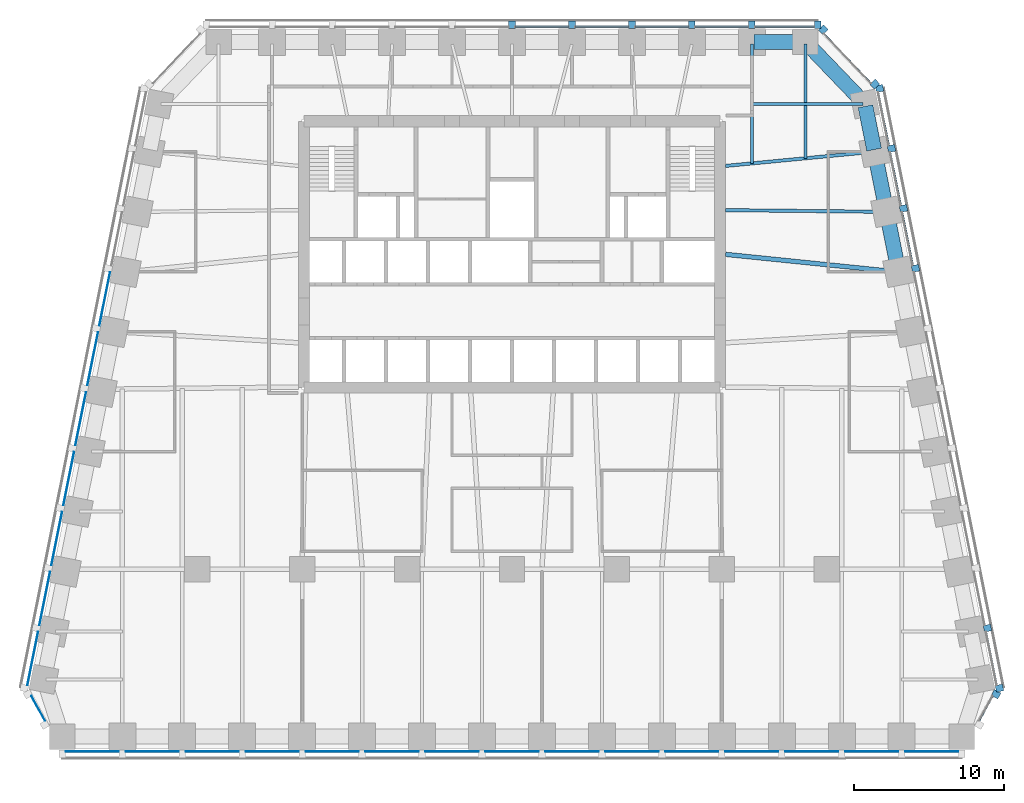
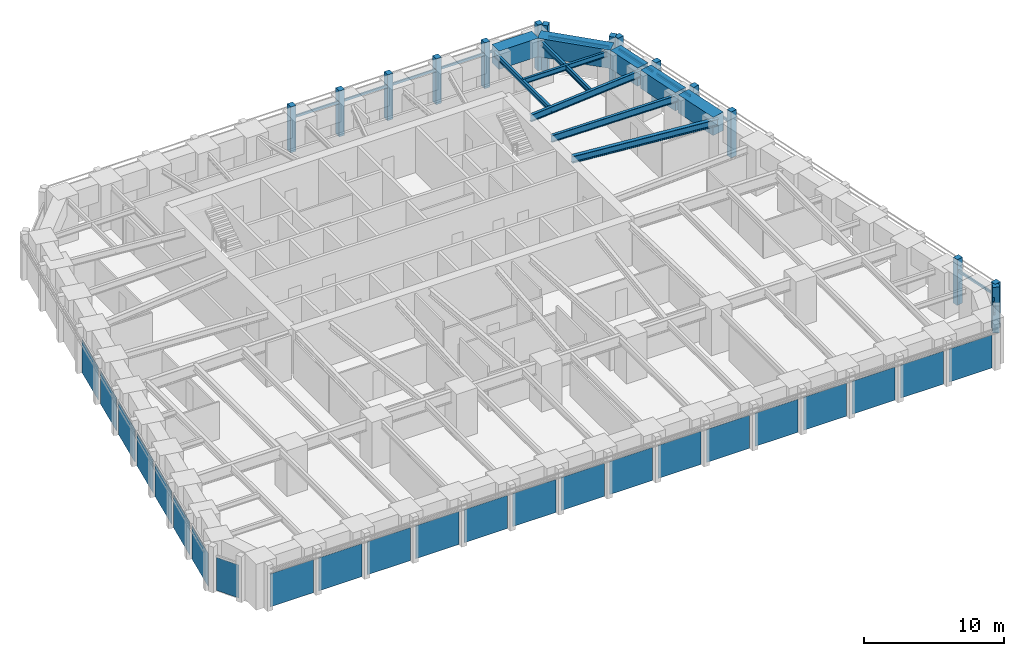
# One storey, part 4 of 10: 26 members, 23 plates, 11 beams, 7 elements without a shape of their own.
"""IFC4 building model written with IfcOpenShell, lengths in metres."""

from ifc_helpers import new_model, si_unit, direction, frame, origin, origin_2d, place, context, subcontext, project, spatial, rectangle, i_section, extrude, material, layer, layer_set, material_profile, profile_set, type_object, element, aggregate, save


model = new_model("IFC4")

# Units and contexts
model_context = context("Model", 3, precision=1e-05, world=origin(), true_north=direction((0.0, 1.0)))
body_context = subcontext(model_context, "Body", "Model", "MODEL_VIEW")
ifc_project = project(units=[si_unit("LENGTHUNIT", "METRE"), si_unit("AREAUNIT", "SQUARE_METRE"), si_unit("VOLUMEUNIT", "CUBIC_METRE"), si_unit("PLANEANGLEUNIT", "RADIAN"), si_unit("MASSUNIT", "GRAM", prefix="KILO")], contexts=[model_context])

# Site, building, storey
site_placement = place(None, origin())
site = spatial("IfcSite", under=ifc_project, at=site_placement, CompositionType="ELEMENT")
building_placement = place(site_placement, origin())
building = spatial("IfcBuilding", under=site, at=building_placement, Name="Isbrekke Arena Tower", CompositionType="ELEMENT")
storey_placement = place(building_placement, frame((0.0, 0.0, 147.0)))
storey = spatial("IfcBuildingStorey", under=building, at=storey_placement, Name="L33", CompositionType="ELEMENT", Elevation=147.0)

# Beams
ifc_material_1 = material(Name="Steel S355", Category="steel")
ifc_material_profile_1 = material_profile(ifc_material_1, i_section(OverallWidth=0.219970703125, OverallDepth=0.60009765625, WebThickness=0.011962890625, FlangeThickness=0.01904296875, FilletRadius=0.02392578125, at=origin_2d()), Name="IPE 600")
ifc_profile_set_1 = profile_set([ifc_material_profile_1], Name="Steel S355")
beam_type_1 = type_object("IfcBeamType", Name="B1 IPE 600", PredefinedType="BEAM", material=ifc_profile_set_1)
beam_1_placement = place(storey_placement, frame((24.83984375, 17.838134765625, 3.550048828125), z_axis=(-0.999944260169, 0.010558245831, 0.0), x_axis=(-0.010558245831, -0.999944260169, 0.0)))
element("IfcBeam", 1, at=beam_1_placement, inside=storey, type_object=beam_type_1, Name="B1 beam E-E09 L33", PredefinedType="BEAM", context=body_context, shape_type="SweptSolid", body=[
    extrude(i_section(OverallWidth=0.219970703125, OverallDepth=0.60009765625, WebThickness=0.011962890625, FlangeThickness=0.01904296875, FilletRadius=0.02392578125, at=origin_2d()), origin(), (0.0, 0.0, 1.0), 10.59033203125),
])
beam_2_placement = place(storey_placement, frame((24.030517578125, 21.837158203125, 3.550048828125), z_axis=(-0.995439798606, -0.095391862082, 0.0), x_axis=(0.095391862082, -0.995439798606, 0.0)))
element("IfcBeam", 2, at=beam_2_placement, inside=storey, type_object=beam_type_1, Name="B1 beam E-E10 L33", PredefinedType="BEAM", context=body_context, shape_type="SweptSolid", body=[
    extrude(i_section(OverallWidth=0.219970703125, OverallDepth=0.60009765625, WebThickness=0.011962890625, FlangeThickness=0.01904296875, FilletRadius=0.02392578125, at=origin_2d()), origin(), (0.0, 0.0, 1.0), 9.825439453125),
])
ifc_material_2 = material(Name="Steel S355", Category="steel")
ifc_material_profile_2 = material_profile(ifc_material_2, i_section(OverallWidth=0.18994140625, OverallDepth=0.449951171875, WebThickness=0.009521484375, FlangeThickness=0.0146484375, FilletRadius=0.02099609375, at=origin_2d()), Name="IPE 450")
ifc_profile_set_2 = profile_set([ifc_material_profile_2], Name="Steel S355")
beam_type_2 = type_object("IfcBeamType", Name="B2 IPE 450", PredefinedType="BEAM", material=ifc_profile_set_2)
beam_3_placement = place(storey_placement, frame((23.40283203125, 25.029296875, 3.625), z_axis=(-1.0, 0.0, 0.0), x_axis=(0.0, -1.0, 0.0)))
element("IfcBeam", 3, at=beam_3_placement, inside=storey, type_object=beam_type_2, Name="B2 beam E-E11 L33", PredefinedType="BEAM", context=body_context, shape_type="SweptSolid", body=[
    extrude(i_section(OverallWidth=0.18994140625, OverallDepth=0.449951171875, WebThickness=0.009521484375, FlangeThickness=0.0146484375, FilletRadius=0.02099609375, at=origin_2d()), origin(), (0.0, 0.0, 1.0), 7.40283203125),
])
ifc_material_3 = material(Name="Steel S355", Category="steel")
ifc_material_profile_3 = material_profile(ifc_material_3, i_section(OverallWidth=0.18994140625, OverallDepth=0.449951171875, WebThickness=0.009521484375, FlangeThickness=0.0146484375, FilletRadius=0.02099609375, at=origin_2d()), Name="IPE 450")
ifc_profile_set_3 = profile_set([ifc_material_profile_3], Name="Steel S355")
beam_type_3 = type_object("IfcBeamType", Name="B3 IPE 450", PredefinedType="BEAM", material=ifc_profile_set_3)
beam_4_placement = place(storey_placement, frame((19.574951171875, 29.02490234375, 3.625), z_axis=(0.0, -1.0, 0.0), x_axis=(1.0, 0.0, 0.0)))
element("IfcBeam", 4, at=beam_4_placement, inside=storey, type_object=beam_type_3, Name="B3 beam N-N01 L33", PredefinedType="BEAM", context=body_context, shape_type="SweptSolid", body=[
    extrude(i_section(OverallWidth=0.18994140625, OverallDepth=0.449951171875, WebThickness=0.009521484375, FlangeThickness=0.0146484375, FilletRadius=0.02099609375, at=origin_2d()), origin(), (0.0, 0.0, 1.0), 7.61474609375),
])
beam_5_placement = place(storey_placement, frame((16.0, 29.02490234375, 3.625), z_axis=(0.0, -1.0, 0.0), x_axis=(1.0, 0.0, 0.0)))
element("IfcBeam", 5, at=beam_5_placement, inside=storey, type_object=beam_type_3, Name="B3 beam N-N02 L33", PredefinedType="BEAM", context=body_context, shape_type="SweptSolid", body=[
    extrude(i_section(OverallWidth=0.18994140625, OverallDepth=0.449951171875, WebThickness=0.009521484375, FlangeThickness=0.0146484375, FilletRadius=0.02099609375, at=origin_2d()), origin(), (0.0, 0.0, 1.0), 7.957275390625),
])
ifc_material_4 = material(Name="Steel S355", Category="steel")
ifc_material_profile_4 = material_profile(ifc_material_4, i_section(OverallWidth=0.300048828125, OverallDepth=0.60009765625, WebThickness=0.015380859375, FlangeThickness=0.030029296875, FilletRadius=0.027099609375, at=origin_2d()), Name="HEB 600")
ifc_profile_set_4 = profile_set([ifc_material_profile_4], Name="Steel S355")
beam_type_4 = type_object("IfcBeamType", Name="B7 HEB 600", PredefinedType="BEAM", material=ifc_profile_set_4)
beam_6_placement = place(storey_placement, frame((25.6259765625, 13.83984375, 3.550048828125), z_axis=(-0.994839949319, 0.10145676537, 0.0), x_axis=(-0.10145676537, -0.994839949319, 0.0)))
element("IfcBeam", 6, at=beam_6_placement, inside=storey, type_object=beam_type_4, Name="B7 beam E-E08 L33", PredefinedType="BEAM", context=body_context, shape_type="SweptSolid", body=[
    extrude(i_section(OverallWidth=0.300048828125, OverallDepth=0.60009765625, WebThickness=0.015380859375, FlangeThickness=0.030029296875, FilletRadius=0.027099609375, at=origin_2d()), origin(), (0.0, 0.0, 1.0), 11.43505859375),
])

# Curtain wall, member
ifc_material_5 = material(Name="Glazed aluminium curtain wall", Category="aluminium")
curtain_wall_type = type_object("IfcCurtainWallType", Name="CWM TOWER CURTAIN WALL MID ZONE", PredefinedType="USERDEFINED", material=ifc_material_5)
curtain_wall_1_placement = place(storey_placement, origin())
curtain_wall_1 = element("IfcCurtainWall", 7, at=curtain_wall_1_placement, inside=storey, type_object=curtain_wall_type, Name="CWM curtain wall L33-SE", ObjectType="TOWER CURTAIN WALL MID ZONE", PredefinedType="USERDEFINED")
ifc_material_6 = material(Name="Aluminium mullion, pale brick slip cladding", Category="masonry")
ifc_material_profile_5 = material_profile(ifc_material_6, rectangle(XDim=0.449951171875, YDim=0.5, at=origin_2d()), Name="PIER 450X500")
ifc_profile_set_5 = profile_set([ifc_material_profile_5], Name="Aluminium mullion, pale brick slip cladding")
member_type_1 = type_object("IfcMemberType", Name="CWM-M PIER MULLION 450 x 500", PredefinedType="MULLION", material=ifc_profile_set_5)
member_1_placement = place(storey_placement, frame((32.296142578125, -14.34375, 0.0), z_axis=(0.0, 0.0, 1.0), x_axis=(0.481918749773, 0.876215908676, 0.0)))
member_1 = element("IfcMember", 8, at=member_1_placement, type_object=member_type_1, Name="CWM-M mullion 2", PredefinedType="MULLION", context=body_context, shape_type="SweptSolid", body=[
    extrude(rectangle(XDim=0.449951171875, YDim=0.5, at=origin_2d()), origin(), (0.0, 0.0, 1.0), 4.0),
])

# Curtain wall, members
curtain_wall_2_placement = place(storey_placement, origin())
curtain_wall_2 = element("IfcCurtainWall", 9, at=curtain_wall_2_placement, inside=storey, type_object=curtain_wall_type, Name="CWM curtain wall L33-E", ObjectType="TOWER CURTAIN WALL MID ZONE", PredefinedType="USERDEFINED")
member_2_placement = place(storey_placement, frame((32.518798828125, -13.936279296875, 0.0), z_axis=(0.0, 0.0, 1.0), x_axis=(-0.196116135138, 0.980580675691, 0.0)))
member_2 = element("IfcMember", 10, at=member_2_placement, type_object=member_type_1, Name="CWM-M mullion 1", PredefinedType="MULLION", context=body_context, shape_type="SweptSolid", body=[
    extrude(rectangle(XDim=0.449951171875, YDim=0.5, at=origin_2d()), origin(), (0.0, 0.0, 1.0), 4.0),
])
member_3_placement = place(storey_placement, frame((31.71875, -9.936279296875, 0.0), z_axis=(0.0, 0.0, 1.0), x_axis=(-0.196116135138, 0.980580675691, 0.0)))
member_3 = element("IfcMember", 11, at=member_3_placement, type_object=member_type_1, Name="CWM-M mullion 2", PredefinedType="MULLION", context=body_context, shape_type="SweptSolid", body=[
    extrude(rectangle(XDim=0.449951171875, YDim=0.5, at=origin_2d()), origin(), (0.0, 0.0, 1.0), 4.0),
])
member_4_placement = place(storey_placement, frame((26.918701171875, 14.063720703125, 0.0), z_axis=(0.0, 0.0, 1.0), x_axis=(-0.196116135138, 0.980580675691, 0.0)))
member_4 = element("IfcMember", 12, at=member_4_placement, type_object=member_type_1, Name="CWM-M mullion 8", PredefinedType="MULLION", context=body_context, shape_type="SweptSolid", body=[
    extrude(rectangle(XDim=0.449951171875, YDim=0.5, at=origin_2d()), origin(), (0.0, 0.0, 1.0), 4.0),
])
member_5_placement = place(storey_placement, frame((26.11865234375, 18.063720703125, 0.0), z_axis=(0.0, 0.0, 1.0), x_axis=(-0.196116135138, 0.980580675691, 0.0)))
member_5 = element("IfcMember", 13, at=member_5_placement, type_object=member_type_1, Name="CWM-M mullion 9", PredefinedType="MULLION", context=body_context, shape_type="SweptSolid", body=[
    extrude(rectangle(XDim=0.449951171875, YDim=0.5, at=origin_2d()), origin(), (0.0, 0.0, 1.0), 4.0),
])
member_6_placement = place(storey_placement, frame((25.318603515625, 22.063720703125, 0.0), z_axis=(0.0, 0.0, 1.0), x_axis=(-0.196116135138, 0.980580675691, 0.0)))
member_6 = element("IfcMember", 14, at=member_6_placement, type_object=member_type_1, Name="CWM-M mullion 10", PredefinedType="MULLION", context=body_context, shape_type="SweptSolid", body=[
    extrude(rectangle(XDim=0.449951171875, YDim=0.5, at=origin_2d()), origin(), (0.0, 0.0, 1.0), 4.0),
])
member_7_placement = place(storey_placement, frame((24.518798828125, 26.063720703125, 0.0), z_axis=(0.0, 0.0, 1.0), x_axis=(-0.196116135138, 0.980580675691, 0.0)))
member_7 = element("IfcMember", 15, at=member_7_placement, type_object=member_type_1, Name="CWM-M mullion 11", PredefinedType="MULLION", context=body_context, shape_type="SweptSolid", body=[
    extrude(rectangle(XDim=0.449951171875, YDim=0.5, at=origin_2d()), origin(), (0.0, 0.0, 1.0), 4.0),
])

curtain_wall_3_placement = place(storey_placement, origin())
curtain_wall_3 = element("IfcCurtainWall", 16, at=curtain_wall_3_placement, inside=storey, type_object=curtain_wall_type, Name="CWM curtain wall L33-EN", ObjectType="TOWER CURTAIN WALL MID ZONE", PredefinedType="USERDEFINED")
member_8_placement = place(storey_placement, frame((24.208251953125, 26.354248046875, 0.0), z_axis=(0.0, 0.0, 1.0), x_axis=(-0.68874946192, 0.72499943359, 0.0)))
member_8 = element("IfcMember", 17, at=member_8_placement, type_object=member_type_1, Name="CWM-M mullion 1", PredefinedType="MULLION", context=body_context, shape_type="SweptSolid", body=[
    extrude(rectangle(XDim=0.449951171875, YDim=0.5, at=origin_2d()), origin(), (0.0, 0.0, 1.0), 4.0),
])
member_9_placement = place(storey_placement, frame((20.7587890625, 29.9853515625, 0.0), z_axis=(0.0, 0.0, 1.0), x_axis=(-0.68874946192, 0.72499943359, 0.0)))
member_9 = element("IfcMember", 18, at=member_9_placement, type_object=member_type_1, Name="CWM-M mullion 2", PredefinedType="MULLION", context=body_context, shape_type="SweptSolid", body=[
    extrude(rectangle(XDim=0.449951171875, YDim=0.5, at=origin_2d()), origin(), (0.0, 0.0, 1.0), 4.0),
])

curtain_wall_4_placement = place(storey_placement, origin())
curtain_wall_4 = element("IfcCurtainWall", 19, at=curtain_wall_4_placement, inside=storey, type_object=curtain_wall_type, Name="CWM curtain wall L33-N", ObjectType="TOWER CURTAIN WALL MID ZONE", PredefinedType="USERDEFINED")
member_10_placement = place(storey_placement, frame((20.39990234375, 30.324951171875, 0.0), z_axis=(0.0, 0.0, 1.0), x_axis=(-1.0, 0.0, 0.0)))
member_10 = element("IfcMember", 20, at=member_10_placement, type_object=member_type_1, Name="CWM-M mullion 1", PredefinedType="MULLION", context=body_context, shape_type="SweptSolid", body=[
    extrude(rectangle(XDim=0.449951171875, YDim=0.5, at=origin_2d()), origin(), (0.0, 0.0, 1.0), 4.0),
])
member_11_placement = place(storey_placement, frame((16.0, 30.324951171875, 0.0), z_axis=(0.0, 0.0, 1.0), x_axis=(-1.0, 0.0, 0.0)))
member_11 = element("IfcMember", 21, at=member_11_placement, type_object=member_type_1, Name="CWM-M mullion 2", PredefinedType="MULLION", context=body_context, shape_type="SweptSolid", body=[
    extrude(rectangle(XDim=0.449951171875, YDim=0.5, at=origin_2d()), origin(), (0.0, 0.0, 1.0), 4.0),
])
member_12_placement = place(storey_placement, frame((12.0, 30.324951171875, 0.0), z_axis=(0.0, 0.0, 1.0), x_axis=(-1.0, 0.0, 0.0)))
member_12 = element("IfcMember", 22, at=member_12_placement, type_object=member_type_1, Name="CWM-M mullion 3", PredefinedType="MULLION", context=body_context, shape_type="SweptSolid", body=[
    extrude(rectangle(XDim=0.449951171875, YDim=0.5, at=origin_2d()), origin(), (0.0, 0.0, 1.0), 4.0),
])
member_13_placement = place(storey_placement, frame((8.0, 30.324951171875, 0.0), z_axis=(0.0, 0.0, 1.0), x_axis=(-1.0, 0.0, 0.0)))
member_13 = element("IfcMember", 23, at=member_13_placement, type_object=member_type_1, Name="CWM-M mullion 4", PredefinedType="MULLION", context=body_context, shape_type="SweptSolid", body=[
    extrude(rectangle(XDim=0.449951171875, YDim=0.5, at=origin_2d()), origin(), (0.0, 0.0, 1.0), 4.0),
])
member_14_placement = place(storey_placement, frame((4.0, 30.324951171875, 0.0), z_axis=(0.0, 0.0, 1.0), x_axis=(-1.0, 0.0, 0.0)))
member_14 = element("IfcMember", 24, at=member_14_placement, type_object=member_type_1, Name="CWM-M mullion 5", PredefinedType="MULLION", context=body_context, shape_type="SweptSolid", body=[
    extrude(rectangle(XDim=0.449951171875, YDim=0.5, at=origin_2d()), origin(), (0.0, 0.0, 1.0), 4.0),
])
member_15_placement = place(storey_placement, frame((0.0, 30.324951171875, 0.0), z_axis=(0.0, 0.0, 1.0), x_axis=(-1.0, 0.0, 0.0)))
member_15 = element("IfcMember", 25, at=member_15_placement, type_object=member_type_1, Name="CWM-M mullion 6", PredefinedType="MULLION", context=body_context, shape_type="SweptSolid", body=[
    extrude(rectangle(XDim=0.449951171875, YDim=0.5, at=origin_2d()), origin(), (0.0, 0.0, 1.0), 4.0),
])

# Member
ifc_material_7 = material(Name="Aluminium transom", Category="aluminium")
ifc_material_profile_6 = material_profile(ifc_material_7, rectangle(XDim=0.1201171875, YDim=0.199951171875, at=origin_2d()), Name="TRANSOM 120X200")
ifc_profile_set_6 = profile_set([ifc_material_profile_6], Name="Aluminium transom")
member_type_2 = type_object("IfcMemberType", Name="CWM-T TRANSOM 120 x 200", PredefinedType="USERDEFINED", material=ifc_profile_set_6)
member_16_placement = place(storey_placement, frame((31.152099609375, -16.112548828125, 3.0), z_axis=(0.482003669577, 0.876169197424, 0.0), x_axis=(-0.876169197424, 0.482003669577, 0.0)))
member_16 = element("IfcMember", 26, at=member_16_placement, type_object=member_type_2, Name="CWM-T transom 1", ObjectType="TRANSOM", PredefinedType="USERDEFINED", context=body_context, shape_type="SweptSolid", body=[
    extrude(rectangle(XDim=0.1201171875, YDim=0.199951171875, at=origin_2d()), origin(), (0.0, 0.0, 1.0), 1.876220703125),
])

aggregate(curtain_wall_1, [member_1, member_16])

member_17_placement = place(storey_placement, frame((32.327392578125, -13.7451171875, 3.0), z_axis=(-0.196090262229, 0.980585849918, 0.0), x_axis=(-0.980585849918, -0.196090262229, 0.0)))
member_17 = element("IfcMember", 27, at=member_17_placement, type_object=member_type_2, Name="CWM-T transom 1", ObjectType="TRANSOM", PredefinedType="USERDEFINED", context=body_context, shape_type="SweptSolid", body=[
    extrude(rectangle(XDim=0.1201171875, YDim=0.199951171875, at=origin_2d()), origin(), (0.0, 0.0, 1.0), 3.62939453125),
])

member_18_placement = place(storey_placement, frame((26.7275390625, 14.2548828125, 3.0), z_axis=(-0.196154943734, 0.980572913173, 0.0), x_axis=(-0.980572913173, -0.196154943734, 0.0)))
member_18 = element("IfcMember", 28, at=member_18_placement, type_object=member_type_2, Name="CWM-T transom 8", ObjectType="TRANSOM", PredefinedType="USERDEFINED", context=body_context, shape_type="SweptSolid", body=[
    extrude(rectangle(XDim=0.1201171875, YDim=0.199951171875, at=origin_2d()), origin(), (0.0, 0.0, 1.0), 3.62939453125),
])

member_19_placement = place(storey_placement, frame((25.927490234375, 18.2548828125, 3.0), z_axis=(-0.196090262229, 0.980585849918, 0.0), x_axis=(-0.980585849918, -0.196090262229, 0.0)))
member_19 = element("IfcMember", 29, at=member_19_placement, type_object=member_type_2, Name="CWM-T transom 9", ObjectType="TRANSOM", PredefinedType="USERDEFINED", context=body_context, shape_type="SweptSolid", body=[
    extrude(rectangle(XDim=0.1201171875, YDim=0.199951171875, at=origin_2d()), origin(), (0.0, 0.0, 1.0), 3.62939453125),
])

member_20_placement = place(storey_placement, frame((25.12744140625, 22.2548828125, 3.0), z_axis=(-0.196090262229, 0.980585849918, 0.0), x_axis=(-0.980585849918, -0.196090262229, 0.0)))
member_20 = element("IfcMember", 30, at=member_20_placement, type_object=member_type_2, Name="CWM-T transom 10", ObjectType="TRANSOM", PredefinedType="USERDEFINED", context=body_context, shape_type="SweptSolid", body=[
    extrude(rectangle(XDim=0.1201171875, YDim=0.199951171875, at=origin_2d()), origin(), (0.0, 0.0, 1.0), 3.62939453125),
])

aggregate(curtain_wall_2, [member_2, member_3, member_4, member_5, member_6, member_7, member_17, member_18, member_19, member_20])

member_21_placement = place(storey_placement, frame((23.944580078125, 26.4140625, 3.0), z_axis=(-0.688771983213, 0.724978037696, 0.0), x_axis=(-0.724978037696, -0.688771983213, 0.0)))
member_21 = element("IfcMember", 31, at=member_21_placement, type_object=member_type_2, Name="CWM-T transom 1", ObjectType="TRANSOM", PredefinedType="USERDEFINED", context=body_context, shape_type="SweptSolid", body=[
    extrude(rectangle(XDim=0.1201171875, YDim=0.199951171875, at=origin_2d()), origin(), (0.0, 0.0, 1.0), 4.558349609375),
])

aggregate(curtain_wall_3, [member_8, member_9, member_21])

member_22_placement = place(storey_placement, frame((20.175048828125, 30.175048828125, 3.0), z_axis=(-1.0, 0.0, 0.0), x_axis=(0.0, -1.0, 0.0)))
member_22 = element("IfcMember", 32, at=member_22_placement, type_object=member_type_2, Name="CWM-T transom 1", ObjectType="TRANSOM", PredefinedType="USERDEFINED", context=body_context, shape_type="SweptSolid", body=[
    extrude(rectangle(XDim=0.1201171875, YDim=0.199951171875, at=origin_2d()), origin(), (0.0, 0.0, 1.0), 3.949951171875),
])

member_23_placement = place(storey_placement, frame((15.77490234375, 30.175048828125, 3.0), z_axis=(-1.0, 0.0, 0.0), x_axis=(0.0, -1.0, 0.0)))
member_23 = element("IfcMember", 33, at=member_23_placement, type_object=member_type_2, Name="CWM-T transom 2", ObjectType="TRANSOM", PredefinedType="USERDEFINED", context=body_context, shape_type="SweptSolid", body=[
    extrude(rectangle(XDim=0.1201171875, YDim=0.199951171875, at=origin_2d()), origin(), (0.0, 0.0, 1.0), 3.5498046875),
])

member_24_placement = place(storey_placement, frame((11.77490234375, 30.175048828125, 3.0), z_axis=(-1.0, 0.0, 0.0), x_axis=(0.0, -1.0, 0.0)))
member_24 = element("IfcMember", 34, at=member_24_placement, type_object=member_type_2, Name="CWM-T transom 3", ObjectType="TRANSOM", PredefinedType="USERDEFINED", context=body_context, shape_type="SweptSolid", body=[
    extrude(rectangle(XDim=0.1201171875, YDim=0.199951171875, at=origin_2d()), origin(), (0.0, 0.0, 1.0), 3.5498046875),
])

member_25_placement = place(storey_placement, frame((7.77490234375, 30.175048828125, 3.0), z_axis=(-1.0, 0.0, 0.0), x_axis=(0.0, -1.0, 0.0)))
member_25 = element("IfcMember", 35, at=member_25_placement, type_object=member_type_2, Name="CWM-T transom 4", ObjectType="TRANSOM", PredefinedType="USERDEFINED", context=body_context, shape_type="SweptSolid", body=[
    extrude(rectangle(XDim=0.1201171875, YDim=0.199951171875, at=origin_2d()), origin(), (0.0, 0.0, 1.0), 3.5498046875),
])

member_26_placement = place(storey_placement, frame((3.77490234375, 30.175048828125, 3.0), z_axis=(-1.0, 0.0, 0.0), x_axis=(0.0, -1.0, 0.0)))
member_26 = element("IfcMember", 36, at=member_26_placement, type_object=member_type_2, Name="CWM-T transom 5", ObjectType="TRANSOM", PredefinedType="USERDEFINED", context=body_context, shape_type="SweptSolid", body=[
    extrude(rectangle(XDim=0.1201171875, YDim=0.199951171875, at=origin_2d()), origin(), (0.0, 0.0, 1.0), 3.5498046875),
])

aggregate(curtain_wall_4, [member_10, member_11, member_12, member_13, member_14, member_15, member_22, member_23, member_24, member_25, member_26])

# Beams
ifc_material_8 = material(Name="Concrete B80 (C80/95)", Category="concrete")
ifc_material_profile_7 = material_profile(ifc_material_8, rectangle(XDim=1.0, YDim=1.60009765625, at=origin_2d()), Name="RC 1000x1600")
ifc_profile_set_7 = profile_set([ifc_material_profile_7], Name="Concrete B80 (C80/95)")
beam_type_5 = type_object("IfcBeamType", Name="SB2 RC 1000 x 1600", PredefinedType="SPANDREL", material=ifc_profile_set_7)
for number, where, z_axis, x_axis, name in (
    (37, (25.76171875, 13.9853515625, 3.199951171875), (-0.196128558387, 0.980578190959, 0.0), (-0.980578190959, -0.196128558387, 0.0), "SB2 spandrel E08-E09 L33"),
    (38, (24.961669921875, 17.9853515625, 3.199951171875), (-0.196128558387, 0.980578190959, 0.0), (-0.980578190959, -0.196128558387, 0.0), "SB2 spandrel E09-E10 L33"),
):
    element("IfcBeam", number, at=place(storey_placement, frame(where, z_axis=z_axis, x_axis=x_axis)), inside=storey, type_object=beam_type_5, Name=name, PredefinedType="SPANDREL", context=body_context, shape_type="SweptSolid", body=[
        extrude(rectangle(XDim=1.0, YDim=1.60009765625, at=origin_2d()), origin(), (0.0, 0.0, 1.0), 3.779296875),
    ])
beam_7_placement = place(storey_placement, frame((24.16162109375, 21.9853515625, 3.199951171875), z_axis=(-0.196116135138, 0.980580675691, 0.0), x_axis=(-0.980580675691, -0.196116135138, 0.0)))
element("IfcBeam", 39, at=beam_7_placement, inside=storey, type_object=beam_type_5, Name="SB2 spandrel E10-E11 L33", PredefinedType="SPANDREL", context=body_context, shape_type="SweptSolid", body=[
    extrude(rectangle(XDim=1.0, YDim=1.60009765625, at=origin_2d()), origin(), (0.0, 0.0, 1.0), 2.9541015625),
])
beam_8_placement = place(storey_placement, frame((23.448974609375, 25.137451171875, 3.199951171875), z_axis=(-0.692339547635, 0.721571861134, 0.0), x_axis=(-0.721571861134, -0.692339547635, 0.0)))
element("IfcBeam", 40, at=beam_8_placement, inside=storey, type_object=beam_type_5, Name="SB2 spandrel E11-N01 L33", PredefinedType="SPANDREL", context=body_context, shape_type="SweptSolid", body=[
    extrude(rectangle(XDim=1.0, YDim=1.60009765625, at=origin_2d()), origin(), (0.0, 0.0, 1.0), 5.4453125),
])
beam_9_placement = place(storey_placement, frame((19.425048828125, 29.175048828125, 3.199951171875), z_axis=(-1.0, 0.0, 0.0), x_axis=(0.0, -1.0, 0.0)))
element("IfcBeam", 41, at=beam_9_placement, inside=storey, type_object=beam_type_5, Name="SB2 spandrel N01-N02 L33", PredefinedType="SPANDREL", context=body_context, shape_type="SweptSolid", body=[
    extrude(rectangle(XDim=1.0, YDim=1.60009765625, at=origin_2d()), origin(), (0.0, 0.0, 1.0), 3.275146484375),
])

# Curtain wall, plates
curtain_wall_5_placement = place(storey_placement, origin())
curtain_wall_5 = element("IfcCurtainWall", 42, at=curtain_wall_5_placement, inside=storey, type_object=curtain_wall_type, Name="CWM curtain wall L33-S", ObjectType="TOWER CURTAIN WALL MID ZONE", PredefinedType="USERDEFINED")
ifc_material_9 = material(Name="Triple-glazed clear glass unit", Category="glass")
ifc_layer = layer(ifc_material_9, 0.031982421875)
ifc_layer_set = layer_set([ifc_layer], Name="CWM-P VISION PANEL")
plate_type = type_object("IfcPlateType", Name="CWM-P VISION PANEL", PredefinedType="CURTAIN_PANEL", material=ifc_layer_set)
plate_1_placement = place(storey_placement, frame((-28.0, -18.175048828125, 0.02001953125), z_axis=(0.0, 0.0, 1.0), x_axis=(1.0, 0.0, 0.0)))
plate_1 = element("IfcPlate", 43, at=plate_1_placement, type_object=plate_type, Name="CWM-P panel 1", PredefinedType="CURTAIN_PANEL", context=body_context, shape_type="SweptSolid", body=[
    extrude(rectangle(XDim=3.550048828125, YDim=0.031982421875, at=origin_2d()), origin(), (0.0, 0.0, 1.0), 2.8798828125),
])
plate_2_placement = place(storey_placement, frame((-24.0, -18.175048828125, 0.02001953125), z_axis=(0.0, 0.0, 1.0), x_axis=(1.0, 0.0, 0.0)))
plate_2 = element("IfcPlate", 44, at=plate_2_placement, type_object=plate_type, Name="CWM-P panel 2", PredefinedType="CURTAIN_PANEL", context=body_context, shape_type="SweptSolid", body=[
    extrude(rectangle(XDim=3.550048828125, YDim=0.031982421875, at=origin_2d()), origin(), (0.0, 0.0, 1.0), 2.8798828125),
])
plate_3_placement = place(storey_placement, frame((-20.0, -18.175048828125, 0.02001953125), z_axis=(0.0, 0.0, 1.0), x_axis=(1.0, 0.0, 0.0)))
plate_3 = element("IfcPlate", 45, at=plate_3_placement, type_object=plate_type, Name="CWM-P panel 3", PredefinedType="CURTAIN_PANEL", context=body_context, shape_type="SweptSolid", body=[
    extrude(rectangle(XDim=3.550048828125, YDim=0.031982421875, at=origin_2d()), origin(), (0.0, 0.0, 1.0), 2.8798828125),
])
plate_4_placement = place(storey_placement, frame((-16.0, -18.175048828125, 0.02001953125), z_axis=(0.0, 0.0, 1.0), x_axis=(1.0, 0.0, 0.0)))
plate_4 = element("IfcPlate", 46, at=plate_4_placement, type_object=plate_type, Name="CWM-P panel 4", PredefinedType="CURTAIN_PANEL", context=body_context, shape_type="SweptSolid", body=[
    extrude(rectangle(XDim=3.550048828125, YDim=0.031982421875, at=origin_2d()), origin(), (0.0, 0.0, 1.0), 2.8798828125),
])
plate_5_placement = place(storey_placement, frame((-12.0, -18.175048828125, 0.02001953125), z_axis=(0.0, 0.0, 1.0), x_axis=(1.0, 0.0, 0.0)))
plate_5 = element("IfcPlate", 47, at=plate_5_placement, type_object=plate_type, Name="CWM-P panel 5", PredefinedType="CURTAIN_PANEL", context=body_context, shape_type="SweptSolid", body=[
    extrude(rectangle(XDim=3.550048828125, YDim=0.031982421875, at=origin_2d()), origin(), (0.0, 0.0, 1.0), 2.8798828125),
])
plate_6_placement = place(storey_placement, frame((-8.0, -18.175048828125, 0.02001953125), z_axis=(0.0, 0.0, 1.0), x_axis=(1.0, 0.0, 0.0)))
plate_6 = element("IfcPlate", 48, at=plate_6_placement, type_object=plate_type, Name="CWM-P panel 6", PredefinedType="CURTAIN_PANEL", context=body_context, shape_type="SweptSolid", body=[
    extrude(rectangle(XDim=3.550048828125, YDim=0.031982421875, at=origin_2d()), origin(), (0.0, 0.0, 1.0), 2.8798828125),
])
plate_7_placement = place(storey_placement, frame((-4.0, -18.175048828125, 0.02001953125), z_axis=(0.0, 0.0, 1.0), x_axis=(1.0, 0.0, 0.0)))
plate_7 = element("IfcPlate", 49, at=plate_7_placement, type_object=plate_type, Name="CWM-P panel 7", PredefinedType="CURTAIN_PANEL", context=body_context, shape_type="SweptSolid", body=[
    extrude(rectangle(XDim=3.550048828125, YDim=0.031982421875, at=origin_2d()), origin(), (0.0, 0.0, 1.0), 2.8798828125),
])
plate_8_placement = place(storey_placement, frame((0.0, -18.175048828125, 0.02001953125), z_axis=(0.0, 0.0, 1.0), x_axis=(1.0, 0.0, 0.0)))
plate_8 = element("IfcPlate", 50, at=plate_8_placement, type_object=plate_type, Name="CWM-P panel 8", PredefinedType="CURTAIN_PANEL", context=body_context, shape_type="SweptSolid", body=[
    extrude(rectangle(XDim=3.550048828125, YDim=0.031982421875, at=origin_2d()), origin(), (0.0, 0.0, 1.0), 2.8798828125),
])
plate_9_placement = place(storey_placement, frame((4.0, -18.175048828125, 0.02001953125), z_axis=(0.0, 0.0, 1.0), x_axis=(1.0, 0.0, 0.0)))
plate_9 = element("IfcPlate", 51, at=plate_9_placement, type_object=plate_type, Name="CWM-P panel 9", PredefinedType="CURTAIN_PANEL", context=body_context, shape_type="SweptSolid", body=[
    extrude(rectangle(XDim=3.550048828125, YDim=0.031982421875, at=origin_2d()), origin(), (0.0, 0.0, 1.0), 2.8798828125),
])
plate_10_placement = place(storey_placement, frame((8.0, -18.175048828125, 0.02001953125), z_axis=(0.0, 0.0, 1.0), x_axis=(1.0, 0.0, 0.0)))
plate_10 = element("IfcPlate", 52, at=plate_10_placement, type_object=plate_type, Name="CWM-P panel 10", PredefinedType="CURTAIN_PANEL", context=body_context, shape_type="SweptSolid", body=[
    extrude(rectangle(XDim=3.550048828125, YDim=0.031982421875, at=origin_2d()), origin(), (0.0, 0.0, 1.0), 2.8798828125),
])
plate_11_placement = place(storey_placement, frame((12.0, -18.175048828125, 0.02001953125), z_axis=(0.0, 0.0, 1.0), x_axis=(1.0, 0.0, 0.0)))
plate_11 = element("IfcPlate", 53, at=plate_11_placement, type_object=plate_type, Name="CWM-P panel 11", PredefinedType="CURTAIN_PANEL", context=body_context, shape_type="SweptSolid", body=[
    extrude(rectangle(XDim=3.550048828125, YDim=0.031982421875, at=origin_2d()), origin(), (0.0, 0.0, 1.0), 2.8798828125),
])
plate_12_placement = place(storey_placement, frame((16.0, -18.175048828125, 0.02001953125), z_axis=(0.0, 0.0, 1.0), x_axis=(1.0, 0.0, 0.0)))
plate_12 = element("IfcPlate", 54, at=plate_12_placement, type_object=plate_type, Name="CWM-P panel 12", PredefinedType="CURTAIN_PANEL", context=body_context, shape_type="SweptSolid", body=[
    extrude(rectangle(XDim=3.550048828125, YDim=0.031982421875, at=origin_2d()), origin(), (0.0, 0.0, 1.0), 2.8798828125),
])
plate_13_placement = place(storey_placement, frame((20.0, -18.175048828125, 0.02001953125), z_axis=(0.0, 0.0, 1.0), x_axis=(1.0, 0.0, 0.0)))
plate_13 = element("IfcPlate", 55, at=plate_13_placement, type_object=plate_type, Name="CWM-P panel 13", PredefinedType="CURTAIN_PANEL", context=body_context, shape_type="SweptSolid", body=[
    extrude(rectangle(XDim=3.550048828125, YDim=0.031982421875, at=origin_2d()), origin(), (0.0, 0.0, 1.0), 2.8798828125),
])
plate_14_placement = place(storey_placement, frame((24.0, -18.175048828125, 0.02001953125), z_axis=(0.0, 0.0, 1.0), x_axis=(1.0, 0.0, 0.0)))
plate_14 = element("IfcPlate", 56, at=plate_14_placement, type_object=plate_type, Name="CWM-P panel 14", PredefinedType="CURTAIN_PANEL", context=body_context, shape_type="SweptSolid", body=[
    extrude(rectangle(XDim=3.550048828125, YDim=0.031982421875, at=origin_2d()), origin(), (0.0, 0.0, 1.0), 2.8798828125),
])
plate_15_placement = place(storey_placement, frame((28.0, -18.175048828125, 0.02001953125), z_axis=(0.0, 0.0, 1.0), x_axis=(1.0, 0.0, 0.0)))
plate_15 = element("IfcPlate", 57, at=plate_15_placement, type_object=plate_type, Name="CWM-P panel 15", PredefinedType="CURTAIN_PANEL", context=body_context, shape_type="SweptSolid", body=[
    extrude(rectangle(XDim=3.550048828125, YDim=0.031982421875, at=origin_2d()), origin(), (0.0, 0.0, 1.0), 2.8798828125),
])
aggregate(curtain_wall_5, [plate_1, plate_2, plate_3, plate_4, plate_5, plate_6, plate_7, plate_8, plate_9, plate_10, plate_11, plate_12, plate_13, plate_14, plate_15])

curtain_wall_6_placement = place(storey_placement, origin())
curtain_wall_6 = element("IfcCurtainWall", 58, at=curtain_wall_6_placement, inside=storey, type_object=curtain_wall_type, Name="CWM curtain wall L33-W", ObjectType="TOWER CURTAIN WALL MID ZONE", PredefinedType="USERDEFINED")
plate_16_placement = place(storey_placement, frame((-27.171630859375, 12.034423828125, 0.02001953125), z_axis=(0.0, 0.0, 1.0), x_axis=(-0.196116135138, -0.980580675691, 0.0)))
plate_16 = element("IfcPlate", 59, at=plate_16_placement, type_object=plate_type, Name="CWM-P panel 4", PredefinedType="CURTAIN_PANEL", context=body_context, shape_type="SweptSolid", body=[
    extrude(rectangle(XDim=3.629150390625, YDim=0.031982421875, at=origin_2d()), origin(), (0.0, 0.0, 1.0), 2.8798828125),
])
plate_17_placement = place(storey_placement, frame((-27.9716796875, 8.034423828125, 0.02001953125), z_axis=(0.0, 0.0, 1.0), x_axis=(-0.196116135138, -0.980580675691, 0.0)))
plate_17 = element("IfcPlate", 60, at=plate_17_placement, type_object=plate_type, Name="CWM-P panel 5", PredefinedType="CURTAIN_PANEL", context=body_context, shape_type="SweptSolid", body=[
    extrude(rectangle(XDim=3.629150390625, YDim=0.031982421875, at=origin_2d()), origin(), (0.0, 0.0, 1.0), 2.8798828125),
])
plate_18_placement = place(storey_placement, frame((-28.771484375, 4.034423828125, 0.02001953125), z_axis=(0.0, 0.0, 1.0), x_axis=(-0.196116135138, -0.980580675691, 0.0)))
plate_18 = element("IfcPlate", 61, at=plate_18_placement, type_object=plate_type, Name="CWM-P panel 6", PredefinedType="CURTAIN_PANEL", context=body_context, shape_type="SweptSolid", body=[
    extrude(rectangle(XDim=3.629150390625, YDim=0.031982421875, at=origin_2d()), origin(), (0.0, 0.0, 1.0), 2.8798828125),
])
plate_19_placement = place(storey_placement, frame((-29.571533203125, 0.034423828125, 0.02001953125), z_axis=(0.0, 0.0, 1.0), x_axis=(-0.196116135138, -0.980580675691, 0.0)))
plate_19 = element("IfcPlate", 62, at=plate_19_placement, type_object=plate_type, Name="CWM-P panel 7", PredefinedType="CURTAIN_PANEL", context=body_context, shape_type="SweptSolid", body=[
    extrude(rectangle(XDim=3.629150390625, YDim=0.031982421875, at=origin_2d()), origin(), (0.0, 0.0, 1.0), 2.8798828125),
])
plate_20_placement = place(storey_placement, frame((-30.37158203125, -3.965576171875, 0.02001953125), z_axis=(0.0, 0.0, 1.0), x_axis=(-0.196116135138, -0.980580675691, 0.0)))
plate_20 = element("IfcPlate", 63, at=plate_20_placement, type_object=plate_type, Name="CWM-P panel 8", PredefinedType="CURTAIN_PANEL", context=body_context, shape_type="SweptSolid", body=[
    extrude(rectangle(XDim=3.629150390625, YDim=0.031982421875, at=origin_2d()), origin(), (0.0, 0.0, 1.0), 2.8798828125),
])
plate_21_placement = place(storey_placement, frame((-31.171630859375, -7.965576171875, 0.02001953125), z_axis=(0.0, 0.0, 1.0), x_axis=(-0.196116135138, -0.980580675691, 0.0)))
plate_21 = element("IfcPlate", 64, at=plate_21_placement, type_object=plate_type, Name="CWM-P panel 9", PredefinedType="CURTAIN_PANEL", context=body_context, shape_type="SweptSolid", body=[
    extrude(rectangle(XDim=3.629150390625, YDim=0.031982421875, at=origin_2d()), origin(), (0.0, 0.0, 1.0), 2.8798828125),
])
plate_22_placement = place(storey_placement, frame((-31.9716796875, -11.965576171875, 0.02001953125), z_axis=(0.0, 0.0, 1.0), x_axis=(-0.196116135138, -0.980580675691, 0.0)))
plate_22 = element("IfcPlate", 65, at=plate_22_placement, type_object=plate_type, Name="CWM-P panel 10", PredefinedType="CURTAIN_PANEL", context=body_context, shape_type="SweptSolid", body=[
    extrude(rectangle(XDim=3.629150390625, YDim=0.031982421875, at=origin_2d()), origin(), (0.0, 0.0, 1.0), 2.8798828125),
])
aggregate(curtain_wall_6, [plate_16, plate_17, plate_18, plate_19, plate_20, plate_21, plate_22])

# Curtain wall, plate
curtain_wall_7_placement = place(storey_placement, origin())
curtain_wall_7 = element("IfcCurtainWall", 66, at=curtain_wall_7_placement, inside=storey, type_object=curtain_wall_type, Name="CWM curtain wall L33-WS", ObjectType="TOWER CURTAIN WALL MID ZONE", PredefinedType="USERDEFINED")
plate_23_placement = place(storey_placement, frame((-31.60400390625, -15.291015625, 0.02001953125), z_axis=(0.0, 0.0, 1.0), x_axis=(0.481918749773, -0.876215908676, 0.0)))
plate_23 = element("IfcPlate", 67, at=plate_23_placement, type_object=plate_type, Name="CWM-P panel 1", PredefinedType="CURTAIN_PANEL", context=body_context, shape_type="SweptSolid", body=[
    extrude(rectangle(XDim=1.878173828125, YDim=0.031982421875, at=origin_2d()), origin(), (0.0, 0.0, 1.0), 2.8798828125),
])
aggregate(curtain_wall_7, [plate_23])

save(model, "model.ifc")
